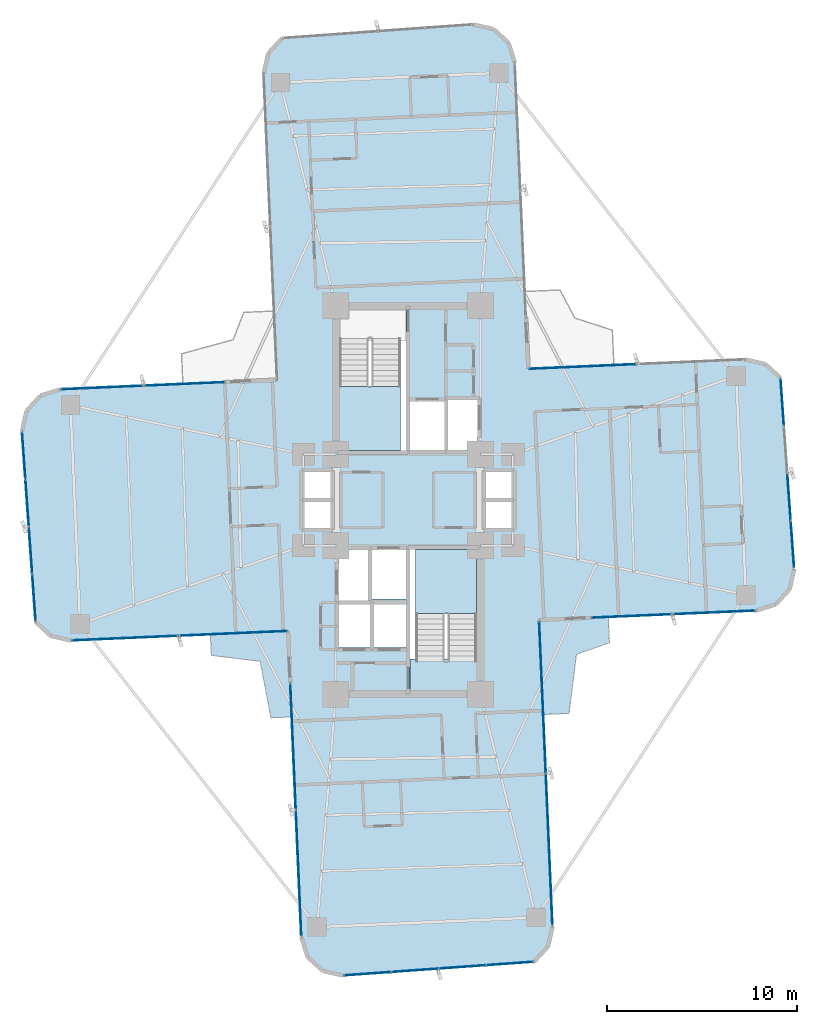
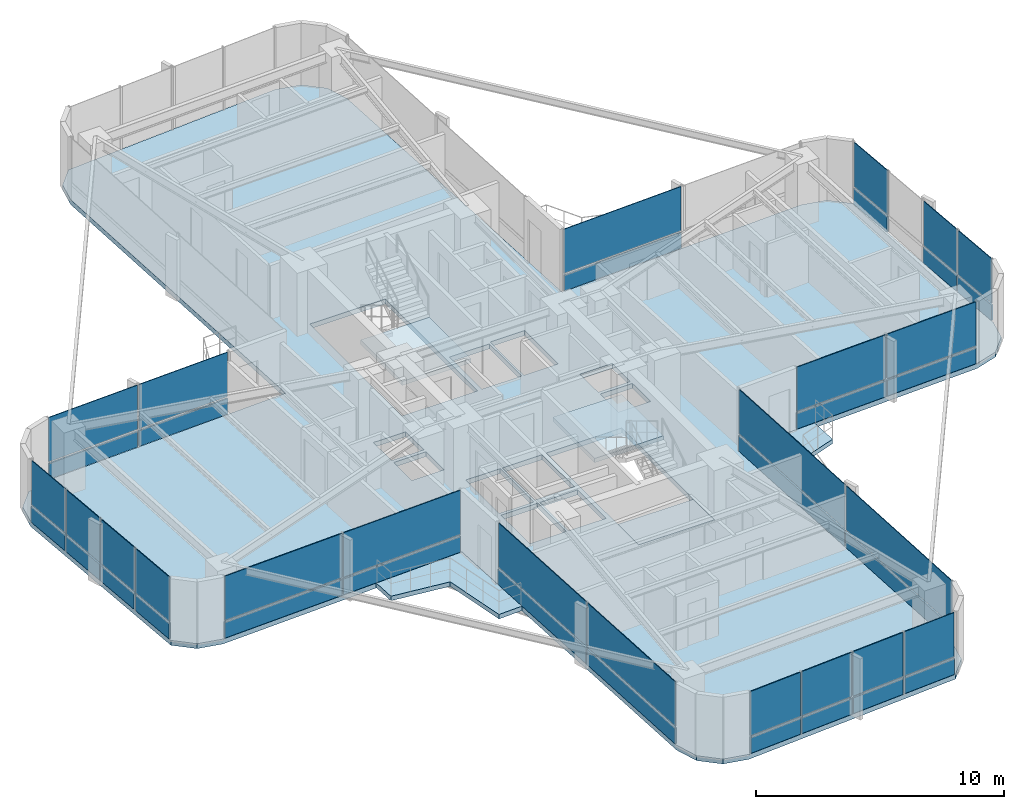
# One storey, part 21 of 26: 44 plates, 6 slabs, 11 elements without a shape of their own.
"""IFC4 building model written with IfcOpenShell, lengths in metres."""

from ifc_helpers import new_model, si_unit, direction, frame, origin, origin_2d, place, context, subcontext, project, spatial, polyline, rectangle, outline, extrude, source, transform, mapped, material, layer, layer_set, type_object, element, aggregate, save


model = new_model("IFC4")

# Units and contexts
model_context = context("Model", 3, precision=1e-05, world=origin(), true_north=direction((0.0, 1.0)))
body_context = subcontext(model_context, "Body", "Model", "MODEL_VIEW")
ifc_project = project(units=[si_unit("LENGTHUNIT", "METRE"), si_unit("AREAUNIT", "SQUARE_METRE"), si_unit("VOLUMEUNIT", "CUBIC_METRE"), si_unit("PLANEANGLEUNIT", "RADIAN"), si_unit("MASSUNIT", "GRAM", prefix="KILO")], contexts=[model_context])

# Site, building, storey
site_placement = place(None, origin())
site = spatial("IfcSite", under=ifc_project, at=site_placement, CompositionType="ELEMENT")
building_placement = place(site_placement, origin())
building = spatial("IfcBuilding", under=site, at=building_placement, Name="Sahyath Konkavel Grand Hotel", CompositionType="ELEMENT")
storey_placement = place(building_placement, frame((0.0, 0.0, 93.550048828125)))
storey = spatial("IfcBuildingStorey", under=building, at=storey_placement, Name="L25", CompositionType="ELEMENT", Elevation=93.550048828125)

# Slabs
ifc_material_1 = material(Name="Concrete C40/50", Category="concrete")
ifc_layer_1 = layer(ifc_material_1, 0.239990234375)
ifc_layer_set_1 = layer_set([ifc_layer_1], Name="Concrete C40/50")
slab_type_1 = type_object("IfcSlabType", Name="SLB-240", PredefinedType="FLOOR", material=ifc_layer_set_1)
slab_1_placement = place(storey_placement, frame((0.0, 0.0, -0.239990234375)))
element("IfcSlab", 1, at=slab_1_placement, inside=storey, type_object=slab_type_1, Name="L25 Structural Floor Slab", PredefinedType="FLOOR", context=body_context, shape_type="SweptSolid", body=[
    extrude(outline(polyline([(6.881591796875, -6.305908203125), (18.270751953125, -5.80859375), (19.3076171875, -5.481689453125), (20.0419921875, -4.68017578125), (20.277099609375, -3.618896484375), (19.5576171875, 6.4091796875), (18.75634765625, 7.1435546875), (17.695068359375, 7.37890625), (6.305908203125, 6.881591796875), (5.603515625, 22.96630859375), (5.276611328125, 24.0029296875), (4.47509765625, 24.7373046875), (3.4140625, 24.97265625), (-6.6142578125, 24.253173828125), (-7.3486328125, 23.451904296875), (-7.583984375, 22.390380859375), (-6.881591796875, 6.305908203125), (-18.270751953125, 5.80859375), (-19.3076171875, 5.481689453125), (-20.0419921875, 4.68017578125), (-20.277099609375, 3.618896484375), (-19.5576171875, -6.4091796875), (-18.75634765625, -7.1435546875), (-17.695068359375, -7.37890625), (-6.305908203125, -6.881591796875), (-5.603515625, -22.96630859375), (-5.276611328125, -24.0029296875), (-4.47509765625, -24.7373046875), (-3.4140625, -24.97265625), (6.6142578125, -24.253173828125), (7.3486328125, -23.451904296875), (7.583984375, -22.390380859375), (6.881591796875, -6.305908203125)]), holes=[polyline([(-3.6201171875, 2.580078125), (-0.10009765625, 2.580078125), (-0.10009765625, 10.02001953125), (-3.6201171875, 10.02001953125), (-3.6201171875, 2.580078125)]), polyline([(0.10009765625, -10.02001953125), (3.6201171875, -10.02001953125), (3.6201171875, -2.580078125), (0.10009765625, -2.580078125), (0.10009765625, -10.02001953125)]), polyline([(0.10009765625, 2.60009765625), (1.949951171875, 2.60009765625), (1.949951171875, 5.199951171875), (0.10009765625, 5.199951171875), (0.10009765625, 2.60009765625)]), polyline([(-1.949951171875, -5.199951171875), (-0.10009765625, -5.199951171875), (-0.10009765625, -2.60009765625), (-1.949951171875, -2.60009765625), (-1.949951171875, -5.199951171875)]), polyline([(2.050048828125, 2.60009765625), (3.64990234375, 2.60009765625), (3.64990234375, 5.300048828125), (2.050048828125, 5.300048828125), (2.050048828125, 2.60009765625)]), polyline([(-3.64990234375, -5.300048828125), (-2.050048828125, -5.300048828125), (-2.050048828125, -2.60009765625), (-3.64990234375, -2.60009765625), (-3.64990234375, -5.300048828125)]), polyline([(-3.64990234375, -7.75), (-1.949951171875, -7.75), (-1.949951171875, -5.449951171875), (-3.64990234375, -5.449951171875), (-3.64990234375, -7.75)]), polyline([(-1.85009765625, -7.75), (-0.10009765625, -7.75), (-0.10009765625, -5.449951171875), (-1.85009765625, -5.449951171875), (-1.85009765625, -7.75)]), polyline([(4.050048828125, 0.080078125), (5.550048828125, 0.080078125), (5.550048828125, 1.5400390625), (4.050048828125, 1.5400390625), (4.050048828125, 0.080078125)]), polyline([(4.050048828125, -1.5400390625), (5.550048828125, -1.5400390625), (5.550048828125, -0.080078125), (4.050048828125, -0.080078125), (4.050048828125, -1.5400390625)]), polyline([(-5.550048828125, 0.080078125), (-4.050048828125, 0.080078125), (-4.050048828125, 1.5400390625), (-5.550048828125, 1.5400390625), (-5.550048828125, 0.080078125)]), polyline([(-5.550048828125, -1.5400390625), (-4.050048828125, -1.5400390625), (-4.050048828125, -0.080078125), (-5.550048828125, -0.080078125), (-5.550048828125, -1.5400390625)])]), origin(), (0.0, 0.0, 1.0), 0.239990234375),
])
ifc_layer_2 = layer(ifc_material_1, 0.219970703125)
ifc_layer_set_2 = layer_set([ifc_layer_2], Name="Concrete C40/50")
slab_type_2 = type_object("IfcSlabType", Name="SLB-BALCONY-220", PredefinedType="FLOOR", material=ifc_layer_set_2)
slab_2_placement = place(storey_placement, frame((0.0, 0.0, -0.219970703125)))
element("IfcSlab", 2, at=slab_2_placement, inside=storey, type_object=slab_type_2, Name="L25 Winter-Garden Balcony SW", PredefinedType="FLOOR", context=body_context, shape_type="SweptSolid", body=[
    extrude(outline(polyline([(-6.305908203125, -6.881591796875), (-10.385986328125, -7.059814453125), (-10.337890625, -8.158203125), (-7.764892578125, -8.473876953125), (-7.207275390625, -11.44140625), (-6.10888671875, -11.393310546875), (-6.305908203125, -6.881591796875)])), origin(), (0.0, 0.0, 1.0), 0.219970703125),
])
slab_3_placement = place(storey_placement, frame((0.0, 0.0, -0.219970703125)))
element("IfcSlab", 3, at=slab_3_placement, inside=storey, type_object=slab_type_2, Name="L25 Winter-Garden Balcony SE", PredefinedType="FLOOR", context=body_context, shape_type="SweptSolid", body=[
    extrude(outline(polyline([(6.881591796875, -6.305908203125), (7.09814453125, -11.26708984375), (8.450439453125, -11.2080078125), (8.841796875, -8.10205078125), (10.5712890625, -7.49951171875), (10.51220703125, -6.147216796875), (6.881591796875, -6.305908203125)])), origin(), (0.0, 0.0, 1.0), 0.219970703125),
])

# Stair, slab
stair_type = type_object("IfcStairType", Name="STR-ST16-335", PredefinedType="HALF_TURN_STAIR", material=ifc_material_1)
stair_1_placement = place(storey_placement, origin())
stair_1 = element("IfcStair", 4, at=stair_1_placement, inside=storey, type_object=stair_type, Name="L25 North Core Smokeproof Exit Stair ST-1", PredefinedType="HALF_TURN_STAIR")
ifc_layer_3 = layer(ifc_material_1, 0.199951171875)
ifc_layer_set_3 = layer_set([ifc_layer_3], Name="Concrete C40/50")
slab_type_3 = type_object("IfcSlabType", Name="SLB-STAIR-LND", PredefinedType="LANDING", material=ifc_layer_set_3)
slab_4_placement = place(storey_placement, frame((0.0, 0.0, 1.474853515625)))
slab_4 = element("IfcSlab", 5, at=slab_4_placement, type_object=slab_type_3, Name="ST-1 landing 1", PredefinedType="LANDING", context=body_context, shape_type="SweptSolid", body=[
    extrude(outline(polyline([(-3.60009765625, 5.9599609375), (-3.60009765625, 2.60009765625), (-0.39990234375, 2.60009765625), (-0.39990234375, 5.9599609375), (-3.60009765625, 5.9599609375)])), origin(), (0.0, 0.0, 1.0), 0.2001953125),
])
aggregate(stair_1, [slab_4])

stair_2_placement = place(storey_placement, origin())
stair_2 = element("IfcStair", 6, at=stair_2_placement, inside=storey, type_object=stair_type, Name="L25 South Core Smokeproof Exit Stair ST-2", PredefinedType="HALF_TURN_STAIR")
slab_5_placement = place(storey_placement, frame((0.0, 0.0, 1.474853515625)))
slab_5 = element("IfcSlab", 7, at=slab_5_placement, type_object=slab_type_3, Name="ST-2 landing 1", PredefinedType="LANDING", context=body_context, shape_type="SweptSolid", body=[
    extrude(outline(polyline([(3.60009765625, -5.9599609375), (3.60009765625, -2.60009765625), (0.39990234375, -2.60009765625), (0.39990234375, -5.9599609375), (3.60009765625, -5.9599609375)])), origin(), (0.0, 0.0, 1.0), 0.2001953125),
])
aggregate(stair_2, [slab_5])

# Slab
slab_6_placement = place(storey_placement, frame((0.0, 0.0, -0.199951171875)))
element("IfcSlab", 8, at=slab_6_placement, inside=storey, type_object=slab_type_3, Name="L25 Stair ST-2 Floor Landing Slab", PredefinedType="LANDING", context=body_context, shape_type="SweptSolid", body=[
    extrude(outline(polyline([(0.10009765625, -10.02001953125), (3.6201171875, -10.02001953125), (3.6201171875, -8.35009765625), (0.10009765625, -8.35009765625), (0.10009765625, -10.02001953125)])), origin(), (0.0, 0.0, 1.0), 0.199951171875),
])

# Curtain wall, plates
ifc_material_2 = material(Name="Anodised Bronze Aluminium & Low-E Glazing", Category="aluminium")
curtain_wall_type = type_object("IfcCurtainWallType", Name="CW-ZONE2", PredefinedType="NOTDEFINED", material=ifc_material_2)
curtain_wall_1_placement = place(storey_placement, origin())
curtain_wall_1 = element("IfcCurtainWall", 9, at=curtain_wall_1_placement, inside=storey, type_object=curtain_wall_type, Name="L25 Unitised Curtain Wall F0", PredefinedType="NOTDEFINED")
ifc_material_3 = material(Name="Warm Buff Sandstone Cladding", Category="masonry")
ifc_layer_4 = layer(ifc_material_3, 0.074951171875)
ifc_layer_set_4 = layer_set([ifc_layer_4], Name="Warm Buff Sandstone Cladding")
plate_type_1 = type_object("IfcPlateType", Name="PNL-SPANDREL-STONE", PredefinedType="SHEET", material=ifc_layer_set_4)
shared_shape_1 = source(origin(), body_context, "Body", "SweptSolid", [
    extrude(rectangle(XDim=4.22998046875, YDim=0.074951171875, at=origin_2d()), origin(), (0.0, 0.0, 1.0), 0.77001953125),
])
plate_1_placement = place(storey_placement, frame((11.77197265625, -6.09228515625, 0.0400390625), z_axis=(0.0, 0.0, 1.0), x_axis=(0.999048982732, 0.043601950678, 0.0)))
plate_1 = element("IfcPlate", 10, at=plate_1_placement, type_object=plate_type_1, Name="L25 Sandstone Relief Spandrel Panel F0-0", PredefinedType="SHEET", context=body_context, shape_type="MappedRepresentation", body=[
    mapped(shared_shape_1, transform((0.0, 0.0, 0.0), scale=1.0)),
])
plate_2_placement = place(storey_placement, frame((16.077880859375, -5.904296875, 0.0400390625), z_axis=(0.0, 0.0, 1.0), x_axis=(0.999048982732, 0.043601950678, 0.0)))
plate_2 = element("IfcPlate", 11, at=plate_2_placement, type_object=plate_type_1, Name="L25 Sandstone Relief Spandrel Panel F0-1", PredefinedType="SHEET", context=body_context, shape_type="MappedRepresentation", body=[
    mapped(shared_shape_1, transform((0.0, 0.0, 0.0), scale=1.0)),
])

curtain_wall_2_placement = place(storey_placement, origin())
curtain_wall_2 = element("IfcCurtainWall", 12, at=curtain_wall_2_placement, inside=storey, type_object=curtain_wall_type, Name="L25 Unitised Curtain Wall F16", PredefinedType="NOTDEFINED")
plate_3_placement = place(storey_placement, frame((-11.77197265625, 6.09228515625, 0.0400390625), z_axis=(0.0, 0.0, 1.0), x_axis=(-0.999048982732, -0.043601950678, 0.0)))
plate_3 = element("IfcPlate", 13, at=plate_3_placement, type_object=plate_type_1, Name="L25 Sandstone Relief Spandrel Panel F16-0", PredefinedType="SHEET", context=body_context, shape_type="MappedRepresentation", body=[
    mapped(shared_shape_1, transform((0.0, 0.0, 0.0), scale=1.0)),
])
plate_4_placement = place(storey_placement, frame((-16.077880859375, 5.904296875, 0.0400390625), z_axis=(0.0, 0.0, 1.0), x_axis=(-0.999048982732, -0.043601950678, 0.0)))
plate_4 = element("IfcPlate", 14, at=plate_4_placement, type_object=plate_type_1, Name="L25 Sandstone Relief Spandrel Panel F16-1", PredefinedType="SHEET", context=body_context, shape_type="MappedRepresentation", body=[
    mapped(shared_shape_1, transform((0.0, 0.0, 0.0), scale=1.0)),
])

curtain_wall_3_placement = place(storey_placement, origin())
curtain_wall_3 = element("IfcCurtainWall", 15, at=curtain_wall_3_placement, inside=storey, type_object=curtain_wall_type, Name="L25 Unitised Curtain Wall F4", PredefinedType="NOTDEFINED")
shared_shape_2 = source(origin(), body_context, "Body", "SweptSolid", [
    extrude(rectangle(XDim=2.41357421875, YDim=0.074951171875, at=origin_2d()), origin(), (0.0, 0.0, 1.0), 0.77001953125),
])
plate_5_placement = place(storey_placement, frame((20.18505859375, -2.335693359375, 0.0400390625), z_axis=(0.0, 0.0, 1.0), x_axis=(-0.071567078661, 0.997435789037, 0.0)))
plate_5 = element("IfcPlate", 16, at=plate_5_placement, type_object=plate_type_1, Name="L25 Sandstone Relief Spandrel Panel F4-0", PredefinedType="SHEET", context=body_context, shape_type="MappedRepresentation", body=[
    mapped(shared_shape_2, transform((0.0, 0.0, 0.0), scale=1.0)),
])
plate_6_placement = place(storey_placement, frame((20.006591796875, 0.151611328125, 0.0400390625), z_axis=(0.0, 0.0, 1.0), x_axis=(-0.071567078661, 0.997435789037, 0.0)))
plate_6 = element("IfcPlate", 17, at=plate_6_placement, type_object=plate_type_1, Name="L25 Sandstone Relief Spandrel Panel F4-1", PredefinedType="SHEET", context=body_context, shape_type="MappedRepresentation", body=[
    mapped(shared_shape_2, transform((0.0, 0.0, 0.0), scale=1.0)),
])
plate_7_placement = place(storey_placement, frame((19.64990234375, 5.125732421875, 0.0400390625), z_axis=(0.0, 0.0, 1.0), x_axis=(-0.071567078661, 0.997435789037, 0.0)))
plate_7 = element("IfcPlate", 18, at=plate_7_placement, type_object=plate_type_1, Name="L25 Sandstone Relief Spandrel Panel F4-3", PredefinedType="SHEET", context=body_context, shape_type="MappedRepresentation", body=[
    mapped(shared_shape_2, transform((0.0, 0.0, 0.0), scale=1.0)),
])

curtain_wall_4_placement = place(storey_placement, origin())
curtain_wall_4 = element("IfcCurtainWall", 19, at=curtain_wall_4_placement, inside=storey, type_object=curtain_wall_type, Name="L25 Unitised Curtain Wall F20", PredefinedType="NOTDEFINED")
plate_8_placement = place(storey_placement, frame((-20.18505859375, 2.335693359375, 0.0400390625), z_axis=(0.0, 0.0, 1.0), x_axis=(0.071567078661, -0.997435789037, 0.0)))
plate_8 = element("IfcPlate", 20, at=plate_8_placement, type_object=plate_type_1, Name="L25 Sandstone Relief Spandrel Panel F20-0", PredefinedType="SHEET", context=body_context, shape_type="MappedRepresentation", body=[
    mapped(shared_shape_2, transform((0.0, 0.0, 0.0), scale=1.0)),
])
plate_9_placement = place(storey_placement, frame((-20.006591796875, -0.151611328125, 0.0400390625), z_axis=(0.0, 0.0, 1.0), x_axis=(0.071567078661, -0.997435789037, 0.0)))
plate_9 = element("IfcPlate", 21, at=plate_9_placement, type_object=plate_type_1, Name="L25 Sandstone Relief Spandrel Panel F20-1", PredefinedType="SHEET", context=body_context, shape_type="MappedRepresentation", body=[
    mapped(shared_shape_2, transform((0.0, 0.0, 0.0), scale=1.0)),
])
plate_10_placement = place(storey_placement, frame((-19.828369140625, -2.638671875, 0.0400390625), z_axis=(0.0, 0.0, 1.0), x_axis=(0.071567078661, -0.997435789037, 0.0)))
plate_10 = element("IfcPlate", 22, at=plate_10_placement, type_object=plate_type_1, Name="L25 Sandstone Relief Spandrel Panel F20-2", PredefinedType="SHEET", context=body_context, shape_type="MappedRepresentation", body=[
    mapped(shared_shape_2, transform((0.0, 0.0, 0.0), scale=1.0)),
])
plate_11_placement = place(storey_placement, frame((-19.64990234375, -5.125732421875, 0.0400390625), z_axis=(0.0, 0.0, 1.0), x_axis=(0.071567078661, -0.997435789037, 0.0)))
plate_11 = element("IfcPlate", 23, at=plate_11_placement, type_object=plate_type_1, Name="L25 Sandstone Relief Spandrel Panel F20-3", PredefinedType="SHEET", context=body_context, shape_type="MappedRepresentation", body=[
    mapped(shared_shape_2, transform((0.0, 0.0, 0.0), scale=1.0)),
])

curtain_wall_5_placement = place(storey_placement, origin())
curtain_wall_5 = element("IfcCurtainWall", 24, at=curtain_wall_5_placement, inside=storey, type_object=curtain_wall_type, Name="L25 Unitised Curtain Wall F28", PredefinedType="NOTDEFINED")
plate_12_placement = place(storey_placement, frame((-2.130615234375, -24.880615234375, 0.0400390625), z_axis=(0.0, 0.0, 1.0), x_axis=(0.997435789037, 0.071567078661, 0.0)))
plate_12 = element("IfcPlate", 25, at=plate_12_placement, type_object=plate_type_1, Name="L25 Sandstone Relief Spandrel Panel F28-0", PredefinedType="SHEET", context=body_context, shape_type="MappedRepresentation", body=[
    mapped(shared_shape_2, transform((0.0, 0.0, 0.0), scale=1.0)),
])
plate_13_placement = place(storey_placement, frame((0.356689453125, -24.7021484375, 0.0400390625), z_axis=(0.0, 0.0, 1.0), x_axis=(0.997435789037, 0.071567078661, 0.0)))
plate_13 = element("IfcPlate", 26, at=plate_13_placement, type_object=plate_type_1, Name="L25 Sandstone Relief Spandrel Panel F28-1", PredefinedType="SHEET", context=body_context, shape_type="MappedRepresentation", body=[
    mapped(shared_shape_2, transform((0.0, 0.0, 0.0), scale=1.0)),
])
plate_14_placement = place(storey_placement, frame((2.84375, -24.523681640625, 0.0400390625), z_axis=(0.0, 0.0, 1.0), x_axis=(0.997435789037, 0.071567078661, 0.0)))
plate_14 = element("IfcPlate", 27, at=plate_14_placement, type_object=plate_type_1, Name="L25 Sandstone Relief Spandrel Panel F28-2", PredefinedType="SHEET", context=body_context, shape_type="MappedRepresentation", body=[
    mapped(shared_shape_2, transform((0.0, 0.0, 0.0), scale=1.0)),
])
plate_15_placement = place(storey_placement, frame((5.330810546875, -24.34521484375, 0.0400390625), z_axis=(0.0, 0.0, 1.0), x_axis=(0.997435789037, 0.071567078661, 0.0)))
plate_15 = element("IfcPlate", 28, at=plate_15_placement, type_object=plate_type_1, Name="L25 Sandstone Relief Spandrel Panel F28-3", PredefinedType="SHEET", context=body_context, shape_type="MappedRepresentation", body=[
    mapped(shared_shape_2, transform((0.0, 0.0, 0.0), scale=1.0)),
])

# Curtain wall, plate
curtain_wall_6_placement = place(storey_placement, origin())
curtain_wall_6 = element("IfcCurtainWall", 29, at=curtain_wall_6_placement, inside=storey, type_object=curtain_wall_type, Name="L25 Unitised Curtain Wall F7", PredefinedType="NOTDEFINED")
shared_shape_3 = source(origin(), body_context, "Body", "SweptSolid", [
    extrude(rectangle(XDim=5.580078125, YDim=0.074951171875, at=origin_2d()), origin(), (0.0, 0.0, 1.0), 0.77001953125),
])
plate_16_placement = place(storey_placement, frame((9.173095703125, 7.0068359375, 0.0400390625), z_axis=(0.0, 0.0, 1.0), x_axis=(-0.999048221582, -0.043619387365, 0.0)))
plate_16 = element("IfcPlate", 30, at=plate_16_placement, type_object=plate_type_1, Name="L25 Sandstone Relief Spandrel Panel F7-1", PredefinedType="SHEET", context=body_context, shape_type="MappedRepresentation", body=[
    mapped(shared_shape_3, transform((0.0, 0.0, 0.0), scale=1.0)),
])

# Curtain wall, plates
curtain_wall_7_placement = place(storey_placement, origin())
curtain_wall_7 = element("IfcCurtainWall", 31, at=curtain_wall_7_placement, inside=storey, type_object=curtain_wall_type, Name="L25 Unitised Curtain Wall F23", PredefinedType="NOTDEFINED")
plate_17_placement = place(storey_placement, frame((-14.82763671875, -7.25390625, 0.0400390625), z_axis=(0.0, 0.0, 1.0), x_axis=(0.999048221582, 0.043619387365, 0.0)))
plate_17 = element("IfcPlate", 32, at=plate_17_placement, type_object=plate_type_1, Name="L25 Sandstone Relief Spandrel Panel F23-0", PredefinedType="SHEET", context=body_context, shape_type="MappedRepresentation", body=[
    mapped(shared_shape_3, transform((0.0, 0.0, 0.0), scale=1.0)),
])
plate_18_placement = place(storey_placement, frame((-9.173095703125, -7.0068359375, 0.0400390625), z_axis=(0.0, 0.0, 1.0), x_axis=(0.999048221582, 0.043619387365, 0.0)))
plate_18 = element("IfcPlate", 33, at=plate_18_placement, type_object=plate_type_1, Name="L25 Sandstone Relief Spandrel Panel F23-1", PredefinedType="SHEET", context=body_context, shape_type="MappedRepresentation", body=[
    mapped(shared_shape_3, transform((0.0, 0.0, 0.0), scale=1.0)),
])

curtain_wall_8_placement = place(storey_placement, origin())
curtain_wall_8 = element("IfcCurtainWall", 34, at=curtain_wall_8_placement, inside=storey, type_object=curtain_wall_type, Name="L25 Unitised Curtain Wall F24", PredefinedType="NOTDEFINED")
shared_shape_4 = source(origin(), body_context, "Body", "SweptSolid", [
    extrude(rectangle(XDim=6.580078125, YDim=0.074951171875, at=origin_2d()), origin(), (0.0, 0.0, 1.0), 0.77001953125),
])
plate_19_placement = place(storey_placement, frame((-6.041015625, -12.94580078125, 0.0400390625), z_axis=(0.0, 0.0, 1.0), x_axis=(0.043619387365, -0.999048221582, 0.0)))
plate_19 = element("IfcPlate", 35, at=plate_19_placement, type_object=plate_type_1, Name="L25 Sandstone Relief Spandrel Panel F24-0", PredefinedType="SHEET", context=body_context, shape_type="MappedRepresentation", body=[
    mapped(shared_shape_4, transform((0.0, 0.0, 0.0), scale=1.0)),
])
plate_20_placement = place(storey_placement, frame((-5.75048828125, -19.599609375, 0.0400390625), z_axis=(0.0, 0.0, 1.0), x_axis=(0.043619387365, -0.999048221582, 0.0)))
plate_20 = element("IfcPlate", 36, at=plate_20_placement, type_object=plate_type_1, Name="L25 Sandstone Relief Spandrel Panel F24-1", PredefinedType="SHEET", context=body_context, shape_type="MappedRepresentation", body=[
    mapped(shared_shape_4, transform((0.0, 0.0, 0.0), scale=1.0)),
])

curtain_wall_9_placement = place(storey_placement, origin())
curtain_wall_9 = element("IfcCurtainWall", 37, at=curtain_wall_9_placement, inside=storey, type_object=curtain_wall_type, Name="L25 Unitised Curtain Wall F31", PredefinedType="NOTDEFINED")
shared_shape_5 = source(origin(), body_context, "Body", "SweptSolid", [
    extrude(rectangle(XDim=7.929931640625, YDim=0.074951171875, at=origin_2d()), origin(), (0.0, 0.0, 1.0), 0.77001953125),
])
plate_21_placement = place(storey_placement, frame((7.407470703125, -18.349365234375, 0.0400390625), z_axis=(0.0, 0.0, 1.0), x_axis=(-0.043619387365, 0.999048221582, 0.0)))
plate_21 = element("IfcPlate", 38, at=plate_21_placement, type_object=plate_type_1, Name="L25 Sandstone Relief Spandrel Panel F31-0", PredefinedType="SHEET", context=body_context, shape_type="MappedRepresentation", body=[
    mapped(shared_shape_5, transform((0.0, 0.0, 0.0), scale=1.0)),
])
plate_22_placement = place(storey_placement, frame((7.05810546875, -10.346923828125, 0.0400390625), z_axis=(0.0, 0.0, 1.0), x_axis=(-0.043619387365, 0.999048221582, 0.0)))
plate_22 = element("IfcPlate", 39, at=plate_22_placement, type_object=plate_type_1, Name="L25 Sandstone Relief Spandrel Panel F31-1", PredefinedType="SHEET", context=body_context, shape_type="MappedRepresentation", body=[
    mapped(shared_shape_5, transform((0.0, 0.0, 0.0), scale=1.0)),
])

# Plate
ifc_material_4 = material(Name="Low-E Solar Control Double Glazing", Category="glass")
ifc_layer_5 = layer(ifc_material_4, 0.035888671875)
ifc_layer_set_5 = layer_set([ifc_layer_5], Name="Low-E Solar Control Double Glazing")
plate_type_2 = type_object("IfcPlateType", Name="PNL-VISION-LOWE", PredefinedType="CURTAIN_PANEL", material=ifc_layer_set_5)
shared_shape_6 = source(origin(), body_context, "Body", "SweptSolid", [
    extrude(rectangle(XDim=4.22998046875, YDim=0.035888671875, at=origin_2d()), origin(), (0.0, 0.0, 1.0), 2.179931640625),
])
plate_23_placement = place(storey_placement, frame((11.77197265625, -6.09228515625, 0.89013671875), z_axis=(0.0, 0.0, 1.0), x_axis=(0.999048982732, 0.043601950678, 0.0)))
plate_23 = element("IfcPlate", 40, at=plate_23_placement, type_object=plate_type_2, Name="L25 Low-E Vision Glazing Panel F0-0", PredefinedType="CURTAIN_PANEL", context=body_context, shape_type="MappedRepresentation", body=[
    mapped(shared_shape_6, transform((0.0, 0.0, 0.0), scale=1.0)),
])

plate_24_placement = place(storey_placement, frame((16.077880859375, -5.904296875, 0.89013671875), z_axis=(0.0, 0.0, 1.0), x_axis=(0.999048982732, 0.043601950678, 0.0)))
plate_24 = element("IfcPlate", 41, at=plate_24_placement, type_object=plate_type_2, Name="L25 Low-E Vision Glazing Panel F0-1", PredefinedType="CURTAIN_PANEL", context=body_context, shape_type="MappedRepresentation", body=[
    mapped(shared_shape_6, transform((0.0, 0.0, 0.0), scale=1.0)),
])

aggregate(curtain_wall_1, [plate_1, plate_23, plate_2, plate_24])

plate_25_placement = place(storey_placement, frame((-11.77197265625, 6.09228515625, 0.89013671875), z_axis=(0.0, 0.0, 1.0), x_axis=(-0.999048982732, -0.043601950678, 0.0)))
plate_25 = element("IfcPlate", 42, at=plate_25_placement, type_object=plate_type_2, Name="L25 Low-E Vision Glazing Panel F16-0", PredefinedType="CURTAIN_PANEL", context=body_context, shape_type="MappedRepresentation", body=[
    mapped(shared_shape_6, transform((0.0, 0.0, 0.0), scale=1.0)),
])

plate_26_placement = place(storey_placement, frame((-16.077880859375, 5.904296875, 0.89013671875), z_axis=(0.0, 0.0, 1.0), x_axis=(-0.999048982732, -0.043601950678, 0.0)))
plate_26 = element("IfcPlate", 43, at=plate_26_placement, type_object=plate_type_2, Name="L25 Low-E Vision Glazing Panel F16-1", PredefinedType="CURTAIN_PANEL", context=body_context, shape_type="MappedRepresentation", body=[
    mapped(shared_shape_6, transform((0.0, 0.0, 0.0), scale=1.0)),
])

aggregate(curtain_wall_2, [plate_3, plate_25, plate_4, plate_26])

shared_shape_7 = source(origin(), body_context, "Body", "SweptSolid", [
    extrude(rectangle(XDim=2.41357421875, YDim=0.035888671875, at=origin_2d()), origin(), (0.0, 0.0, 1.0), 2.179931640625),
])
plate_27_placement = place(storey_placement, frame((20.18505859375, -2.335693359375, 0.89013671875), z_axis=(0.0, 0.0, 1.0), x_axis=(-0.071567078661, 0.997435789037, 0.0)))
plate_27 = element("IfcPlate", 44, at=plate_27_placement, type_object=plate_type_2, Name="L25 Low-E Vision Glazing Panel F4-0", PredefinedType="CURTAIN_PANEL", context=body_context, shape_type="MappedRepresentation", body=[
    mapped(shared_shape_7, transform((0.0, 0.0, 0.0), scale=1.0)),
])

plate_28_placement = place(storey_placement, frame((20.006591796875, 0.151611328125, 0.89013671875), z_axis=(0.0, 0.0, 1.0), x_axis=(-0.071567078661, 0.997435789037, 0.0)))
plate_28 = element("IfcPlate", 45, at=plate_28_placement, type_object=plate_type_2, Name="L25 Low-E Vision Glazing Panel F4-1", PredefinedType="CURTAIN_PANEL", context=body_context, shape_type="MappedRepresentation", body=[
    mapped(shared_shape_7, transform((0.0, 0.0, 0.0), scale=1.0)),
])

plate_29_placement = place(storey_placement, frame((19.64990234375, 5.125732421875, 0.89013671875), z_axis=(0.0, 0.0, 1.0), x_axis=(-0.071567078661, 0.997435789037, 0.0)))
plate_29 = element("IfcPlate", 46, at=plate_29_placement, type_object=plate_type_2, Name="L25 Low-E Vision Glazing Panel F4-3", PredefinedType="CURTAIN_PANEL", context=body_context, shape_type="MappedRepresentation", body=[
    mapped(shared_shape_7, transform((0.0, 0.0, 0.0), scale=1.0)),
])

aggregate(curtain_wall_3, [plate_5, plate_27, plate_6, plate_28, plate_7, plate_29])

plate_30_placement = place(storey_placement, frame((-20.18505859375, 2.335693359375, 0.89013671875), z_axis=(0.0, 0.0, 1.0), x_axis=(0.071567078661, -0.997435789037, 0.0)))
plate_30 = element("IfcPlate", 47, at=plate_30_placement, type_object=plate_type_2, Name="L25 Low-E Vision Glazing Panel F20-0", PredefinedType="CURTAIN_PANEL", context=body_context, shape_type="MappedRepresentation", body=[
    mapped(shared_shape_7, transform((0.0, 0.0, 0.0), scale=1.0)),
])

plate_31_placement = place(storey_placement, frame((-20.006591796875, -0.151611328125, 0.89013671875), z_axis=(0.0, 0.0, 1.0), x_axis=(0.071567078661, -0.997435789037, 0.0)))
plate_31 = element("IfcPlate", 48, at=plate_31_placement, type_object=plate_type_2, Name="L25 Low-E Vision Glazing Panel F20-1", PredefinedType="CURTAIN_PANEL", context=body_context, shape_type="MappedRepresentation", body=[
    mapped(shared_shape_7, transform((0.0, 0.0, 0.0), scale=1.0)),
])

plate_32_placement = place(storey_placement, frame((-19.828369140625, -2.638671875, 0.89013671875), z_axis=(0.0, 0.0, 1.0), x_axis=(0.071567078661, -0.997435789037, 0.0)))
plate_32 = element("IfcPlate", 49, at=plate_32_placement, type_object=plate_type_2, Name="L25 Low-E Vision Glazing Panel F20-2", PredefinedType="CURTAIN_PANEL", context=body_context, shape_type="MappedRepresentation", body=[
    mapped(shared_shape_7, transform((0.0, 0.0, 0.0), scale=1.0)),
])

plate_33_placement = place(storey_placement, frame((-19.64990234375, -5.125732421875, 0.89013671875), z_axis=(0.0, 0.0, 1.0), x_axis=(0.071567078661, -0.997435789037, 0.0)))
plate_33 = element("IfcPlate", 50, at=plate_33_placement, type_object=plate_type_2, Name="L25 Low-E Vision Glazing Panel F20-3", PredefinedType="CURTAIN_PANEL", context=body_context, shape_type="MappedRepresentation", body=[
    mapped(shared_shape_7, transform((0.0, 0.0, 0.0), scale=1.0)),
])

aggregate(curtain_wall_4, [plate_8, plate_30, plate_9, plate_31, plate_10, plate_32, plate_11, plate_33])

plate_34_placement = place(storey_placement, frame((-2.130615234375, -24.880615234375, 0.89013671875), z_axis=(0.0, 0.0, 1.0), x_axis=(0.997435789037, 0.071567078661, 0.0)))
plate_34 = element("IfcPlate", 51, at=plate_34_placement, type_object=plate_type_2, Name="L25 Low-E Vision Glazing Panel F28-0", PredefinedType="CURTAIN_PANEL", context=body_context, shape_type="MappedRepresentation", body=[
    mapped(shared_shape_7, transform((0.0, 0.0, 0.0), scale=1.0)),
])

plate_35_placement = place(storey_placement, frame((0.356689453125, -24.7021484375, 0.89013671875), z_axis=(0.0, 0.0, 1.0), x_axis=(0.997435789037, 0.071567078661, 0.0)))
plate_35 = element("IfcPlate", 52, at=plate_35_placement, type_object=plate_type_2, Name="L25 Low-E Vision Glazing Panel F28-1", PredefinedType="CURTAIN_PANEL", context=body_context, shape_type="MappedRepresentation", body=[
    mapped(shared_shape_7, transform((0.0, 0.0, 0.0), scale=1.0)),
])

plate_36_placement = place(storey_placement, frame((2.84375, -24.523681640625, 0.89013671875), z_axis=(0.0, 0.0, 1.0), x_axis=(0.997435789037, 0.071567078661, 0.0)))
plate_36 = element("IfcPlate", 53, at=plate_36_placement, type_object=plate_type_2, Name="L25 Low-E Vision Glazing Panel F28-2", PredefinedType="CURTAIN_PANEL", context=body_context, shape_type="MappedRepresentation", body=[
    mapped(shared_shape_7, transform((0.0, 0.0, 0.0), scale=1.0)),
])

plate_37_placement = place(storey_placement, frame((5.330810546875, -24.34521484375, 0.89013671875), z_axis=(0.0, 0.0, 1.0), x_axis=(0.997435789037, 0.071567078661, 0.0)))
plate_37 = element("IfcPlate", 54, at=plate_37_placement, type_object=plate_type_2, Name="L25 Low-E Vision Glazing Panel F28-3", PredefinedType="CURTAIN_PANEL", context=body_context, shape_type="MappedRepresentation", body=[
    mapped(shared_shape_7, transform((0.0, 0.0, 0.0), scale=1.0)),
])

aggregate(curtain_wall_5, [plate_12, plate_34, plate_13, plate_35, plate_14, plate_36, plate_15, plate_37])

shared_shape_8 = source(origin(), body_context, "Body", "SweptSolid", [
    extrude(rectangle(XDim=5.580078125, YDim=0.035888671875, at=origin_2d()), origin(), (0.0, 0.0, 1.0), 2.179931640625),
])
plate_38_placement = place(storey_placement, frame((9.173095703125, 7.0068359375, 0.89013671875), z_axis=(0.0, 0.0, 1.0), x_axis=(-0.999048221582, -0.043619387365, 0.0)))
plate_38 = element("IfcPlate", 55, at=plate_38_placement, type_object=plate_type_2, Name="L25 Low-E Vision Glazing Panel F7-1", PredefinedType="CURTAIN_PANEL", context=body_context, shape_type="MappedRepresentation", body=[
    mapped(shared_shape_8, transform((0.0, 0.0, 0.0), scale=1.0)),
])

aggregate(curtain_wall_6, [plate_16, plate_38])

plate_39_placement = place(storey_placement, frame((-14.82763671875, -7.25390625, 0.89013671875), z_axis=(0.0, 0.0, 1.0), x_axis=(0.999048221582, 0.043619387365, 0.0)))
plate_39 = element("IfcPlate", 56, at=plate_39_placement, type_object=plate_type_2, Name="L25 Low-E Vision Glazing Panel F23-0", PredefinedType="CURTAIN_PANEL", context=body_context, shape_type="MappedRepresentation", body=[
    mapped(shared_shape_8, transform((0.0, 0.0, 0.0), scale=1.0)),
])

plate_40_placement = place(storey_placement, frame((-9.173095703125, -7.0068359375, 0.89013671875), z_axis=(0.0, 0.0, 1.0), x_axis=(0.999048221582, 0.043619387365, 0.0)))
plate_40 = element("IfcPlate", 57, at=plate_40_placement, type_object=plate_type_2, Name="L25 Low-E Vision Glazing Panel F23-1", PredefinedType="CURTAIN_PANEL", context=body_context, shape_type="MappedRepresentation", body=[
    mapped(shared_shape_8, transform((0.0, 0.0, 0.0), scale=1.0)),
])

aggregate(curtain_wall_7, [plate_17, plate_39, plate_18, plate_40])

shared_shape_9 = source(origin(), body_context, "Body", "SweptSolid", [
    extrude(rectangle(XDim=6.580078125, YDim=0.035888671875, at=origin_2d()), origin(), (0.0, 0.0, 1.0), 2.179931640625),
])
plate_41_placement = place(storey_placement, frame((-6.041015625, -12.94580078125, 0.89013671875), z_axis=(0.0, 0.0, 1.0), x_axis=(0.043619387365, -0.999048221582, 0.0)))
plate_41 = element("IfcPlate", 58, at=plate_41_placement, type_object=plate_type_2, Name="L25 Low-E Vision Glazing Panel F24-0", PredefinedType="CURTAIN_PANEL", context=body_context, shape_type="MappedRepresentation", body=[
    mapped(shared_shape_9, transform((0.0, 0.0, 0.0), scale=1.0)),
])

plate_42_placement = place(storey_placement, frame((-5.75048828125, -19.599609375, 0.89013671875), z_axis=(0.0, 0.0, 1.0), x_axis=(0.043619387365, -0.999048221582, 0.0)))
plate_42 = element("IfcPlate", 59, at=plate_42_placement, type_object=plate_type_2, Name="L25 Low-E Vision Glazing Panel F24-1", PredefinedType="CURTAIN_PANEL", context=body_context, shape_type="MappedRepresentation", body=[
    mapped(shared_shape_9, transform((0.0, 0.0, 0.0), scale=1.0)),
])

aggregate(curtain_wall_8, [plate_19, plate_41, plate_20, plate_42])

shared_shape_10 = source(origin(), body_context, "Body", "SweptSolid", [
    extrude(rectangle(XDim=7.929931640625, YDim=0.035888671875, at=origin_2d()), origin(), (0.0, 0.0, 1.0), 2.179931640625),
])
plate_43_placement = place(storey_placement, frame((7.407470703125, -18.349365234375, 0.89013671875), z_axis=(0.0, 0.0, 1.0), x_axis=(-0.043619387365, 0.999048221582, 0.0)))
plate_43 = element("IfcPlate", 60, at=plate_43_placement, type_object=plate_type_2, Name="L25 Low-E Vision Glazing Panel F31-0", PredefinedType="CURTAIN_PANEL", context=body_context, shape_type="MappedRepresentation", body=[
    mapped(shared_shape_10, transform((0.0, 0.0, 0.0), scale=1.0)),
])

plate_44_placement = place(storey_placement, frame((7.05810546875, -10.346923828125, 0.89013671875), z_axis=(0.0, 0.0, 1.0), x_axis=(-0.043619387365, 0.999048221582, 0.0)))
plate_44 = element("IfcPlate", 61, at=plate_44_placement, type_object=plate_type_2, Name="L25 Low-E Vision Glazing Panel F31-1", PredefinedType="CURTAIN_PANEL", context=body_context, shape_type="MappedRepresentation", body=[
    mapped(shared_shape_10, transform((0.0, 0.0, 0.0), scale=1.0)),
])

aggregate(curtain_wall_9, [plate_21, plate_43, plate_22, plate_44])

save(model, "model.ifc")
